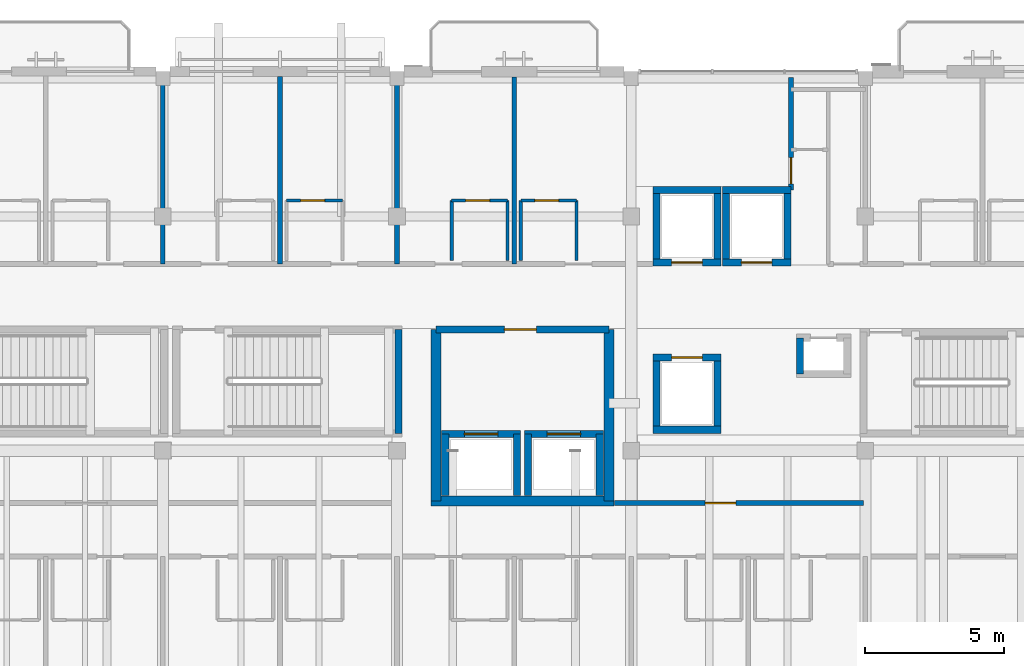
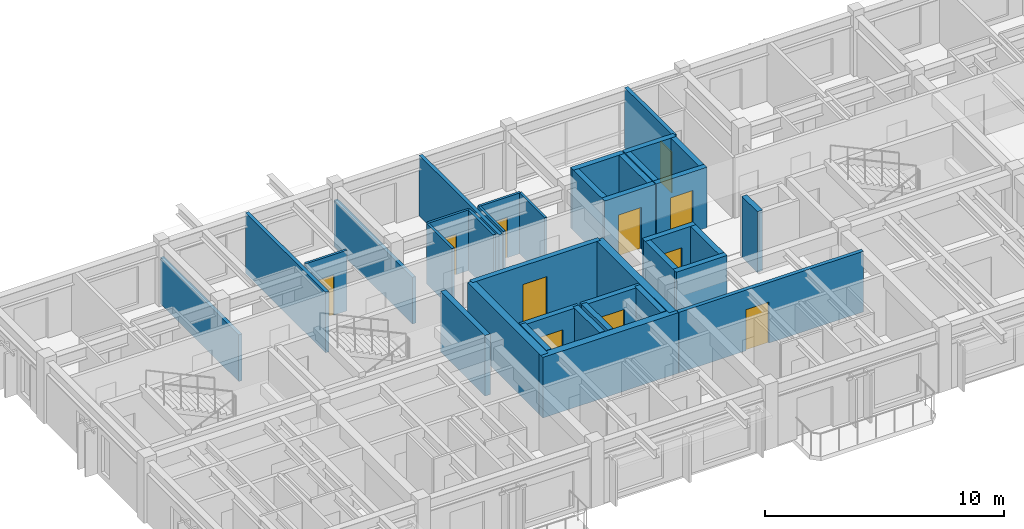
# One storey, part 15 of 31: 37 walls, 11 doors, 11 openings.
"""IFC4 building model written with IfcOpenShell, lengths in metres."""

from ifc_helpers import new_model, si_unit, direction, frame, frame_2d, origin, place, context, subcontext, project, spatial, rectangle, extrude, material, layer, layer_set, type_object, element, fill, save


model = new_model("IFC4")

# Units and contexts
model_context = context("Model", 3, precision=1e-05, world=origin(), true_north=direction((0.0, 1.0)))
body_context = subcontext(model_context, "Body", "Model", "MODEL_VIEW")
ifc_project = project(units=[si_unit("LENGTHUNIT", "METRE"), si_unit("AREAUNIT", "SQUARE_METRE"), si_unit("VOLUMEUNIT", "CUBIC_METRE"), si_unit("PLANEANGLEUNIT", "RADIAN"), si_unit("MASSUNIT", "GRAM", prefix="KILO")], contexts=[model_context])

# Site, building, storey
site_placement = place(None, origin())
site = spatial("IfcSite", under=ifc_project, at=site_placement, CompositionType="ELEMENT")
building_placement = place(site_placement, origin())
building = spatial("IfcBuilding", under=site, at=building_placement, Name="Cumbredor Promenade Congress Hotel", CompositionType="ELEMENT")
storey_placement = place(building_placement, frame((0.0, 0.0, 31.919921875)))
storey = spatial("IfcBuildingStorey", under=building, at=storey_placement, Name="L09", CompositionType="ELEMENT", Elevation=31.919921875)

# Walls
ifc_material_1 = material(Name="Concrete C50/60", Category="concrete")
ifc_layer_1 = layer(ifc_material_1, 0.35009765625, Name="Concrete C50/60", Category="concrete")
ifc_layer_set_1 = layer_set([ifc_layer_1], Name="Concrete C50/60")
wall_type_1 = type_object("IfcWallType", Name="Seismic Shear Core Wall 350mm", PredefinedType="SHEAR", material=ifc_layer_set_1)
wall_1_placement = place(storey_placement, frame((26.60009765625, 99.0, 0.0), z_axis=(0.0, 0.0, 1.0), x_axis=(0.0, 1.0, 0.0)))
element("IfcWall", 1, at=wall_1_placement, inside=storey, type_object=wall_type_1, Name="L09 Hotel Core Shear Wall W1", PredefinedType="SHEAR", context=body_context, shape_type="SweptSolid", body=[
    extrude(rectangle(XDim=6.14990234375, YDim=0.35009765625, at=frame_2d((3.074951171875, 0.0))), origin(), (0.0, 0.0, 1.0), 3.10009765625),
])
wall_2_placement = place(storey_placement, frame((26.425048828125, 99.0, 0.0), z_axis=(0.0, 0.0, 1.0), x_axis=(1.0, 0.0, 0.0)))
element("IfcWall", 2, at=wall_2_placement, inside=storey, type_object=wall_type_1, Name="L09 Hotel Core Shear Wall S1", PredefinedType="SHEAR", context=body_context, shape_type="SweptSolid", body=[
    extrude(rectangle(XDim=6.550048828125, YDim=0.35009765625, at=frame_2d((3.27490234375, 0.0))), origin(), (0.0, 0.0, 1.0), 3.10009765625),
])
wall_3_placement = place(storey_placement, frame((32.800048828125, 99.0, 0.0), z_axis=(0.0, 0.0, 1.0), x_axis=(0.0, 1.0, 0.0)))
element("IfcWall", 3, at=wall_3_placement, inside=storey, type_object=wall_type_1, Name="L09 Hotel Core Shear Wall E1", PredefinedType="SHEAR", context=body_context, shape_type="SweptSolid", body=[
    extrude(rectangle(XDim=6.14990234375, YDim=0.35009765625, at=frame_2d((3.074951171875, 0.0))), origin(), (0.0, 0.0, 1.0), 3.10009765625),
])

# Wall, opening, door
ifc_material_2 = material(Name="Moisture-resistant gypsum board on steel studs", Category="steel")
ifc_layer_2 = layer(ifc_material_2, 0.114990234375, Name="Moisture-resistant gypsum board on steel studs", Category="steel")
ifc_layer_set_2 = layer_set([ifc_layer_2], Name="Moisture-resistant gypsum board on steel studs")
wall_type_2 = type_object("IfcWallType", Name="WL-BATH-115", PredefinedType="PARTITIONING", material=ifc_layer_set_2)
wall_4_placement = place(storey_placement, frame((21.239990234375, 109.77001953125, 0.0), z_axis=(0.0, 0.0, 1.0), x_axis=(1.0, 0.0, 0.0)))
wall_4 = element("IfcWall", 4, at=wall_4_placement, inside=storey, type_object=wall_type_2, Name="L09 Interior Partition W-L09-BH-0904", PredefinedType="PARTITIONING", context=body_context, shape_type="SweptSolid", body=[
    extrude(rectangle(XDim=2.0, YDim=0.114990234375, at=frame_2d((1.0, 0.0))), origin(), (0.0, 0.0, 1.0), 3.10009765625),
])
opening_1_placement = place(wall_4_placement, frame((0.5, 0.0, 0.0)))
opening_1 = element("IfcOpeningElement", 5, at=opening_1_placement, cuts=wall_4, Name="Opening ID-01", PredefinedType="OPENING", context=body_context, shape_type="SweptSolid", body=[
    extrude(rectangle(XDim=0.860107421875, YDim=2.050048828125, at=frame_2d((0.43017578125, 1.02490234375))), frame((0.0, 0.0673828125, 0.0), z_axis=(0.0, -1.0, 0.0), x_axis=(1.0, 0.0, 0.0)), (0.0, 0.0, 1.0), 0.135009765625),
])
ifc_material_3 = material(Name="Kiln-dried tropical hardwood", Category="wood")
door_type_1 = type_object("IfcDoorType", Name="DR-BATH-860", OperationType="NOTDEFINED", PredefinedType="DOOR", material=ifc_material_3)
door_1_placement = place(opening_1_placement, origin())
door_1 = element("IfcDoor", 6, at=door_1_placement, inside=storey, type_object=door_type_1, Name="L09 Interior Door W-L09-BH-0904-01", OperationType="SINGLE_SWING_RIGHT", OverallHeight=2.050048828125, OverallWidth=0.860107421875, PredefinedType="DOOR", context=body_context, shape_type="SweptSolid", body=[
    extrude(rectangle(XDim=0.860107421875, YDim=2.050048828125, at=frame_2d((0.43017578125, 1.02490234375))), frame((0.0, 0.02490234375, 0.0), z_axis=(0.0, -1.0, 0.0), x_axis=(1.0, 0.0, 0.0)), (0.0, 0.0, 1.0), 0.050048828125),
])
fill(opening_1, door_1)

wall_5_placement = place(storey_placement, frame((27.159912109375, 109.77001953125, 0.0), z_axis=(0.0, 0.0, 1.0), x_axis=(1.0, 0.0, 0.0)))
wall_5 = element("IfcWall", 7, at=wall_5_placement, inside=storey, type_object=wall_type_2, Name="L09 Interior Partition W-L09-BH-0905", PredefinedType="PARTITIONING", context=body_context, shape_type="SweptSolid", body=[
    extrude(rectangle(XDim=2.0, YDim=0.114990234375, at=frame_2d((1.0, 0.0))), origin(), (0.0, 0.0, 1.0), 3.10009765625),
])
opening_2_placement = place(wall_5_placement, frame((0.5, 0.0, 0.0)))
opening_2 = element("IfcOpeningElement", 8, at=opening_2_placement, cuts=wall_5, Name="Opening ID-01", PredefinedType="OPENING", context=body_context, shape_type="SweptSolid", body=[
    extrude(rectangle(XDim=0.860107421875, YDim=2.050048828125, at=frame_2d((0.43017578125, 1.02490234375))), frame((0.0, 0.0673828125, 0.0), z_axis=(0.0, -1.0, 0.0), x_axis=(1.0, 0.0, 0.0)), (0.0, 0.0, 1.0), 0.135009765625),
])
door_2_placement = place(opening_2_placement, origin())
door_2 = element("IfcDoor", 9, at=door_2_placement, inside=storey, type_object=door_type_1, Name="L09 Interior Door W-L09-BH-0905-01", OperationType="SINGLE_SWING_LEFT", OverallHeight=2.050048828125, OverallWidth=0.860107421875, PredefinedType="DOOR", context=body_context, shape_type="SweptSolid", body=[
    extrude(rectangle(XDim=0.860107421875, YDim=2.050048828125, at=frame_2d((0.43017578125, 1.02490234375))), frame((0.0, 0.02490234375, 0.0), z_axis=(0.0, -1.0, 0.0), x_axis=(1.0, 0.0, 0.0)), (0.0, 0.0, 1.0), 0.050048828125),
])
fill(opening_2, door_2)

# Walls
for number, where, z_axis, x_axis, name in (
    (10, (27.159912109375, 107.6201171875, 0.0), (0.0, 0.0, 1.0), (0.0, 1.0, 0.0), "L09 Interior Partition W-L09-BV1-0905"),
    (11, (29.159912109375, 107.6201171875, 0.0), (0.0, 0.0, 1.0), (0.0, 1.0, 0.0), "L09 Interior Partition W-L09-BV2-0905"),
):
    element("IfcWall", number, at=place(storey_placement, frame(where, z_axis=z_axis, x_axis=x_axis)), inside=storey, type_object=wall_type_2, Name=name, PredefinedType="PARTITIONING", context=body_context, shape_type="SweptSolid", body=[
        extrude(rectangle(XDim=2.14990234375, YDim=0.114990234375, at=frame_2d((1.074951171875, 0.0))), origin(), (0.0, 0.0, 1.0), 3.10009765625),
    ])

# Wall, opening, door
wall_6_placement = place(storey_placement, frame((29.639892578125, 109.77001953125, 0.0), z_axis=(0.0, 0.0, 1.0), x_axis=(1.0, 0.0, 0.0)))
wall_6 = element("IfcWall", 12, at=wall_6_placement, inside=storey, type_object=wall_type_2, Name="L09 Interior Partition W-L09-BH-0906", PredefinedType="PARTITIONING", context=body_context, shape_type="SweptSolid", body=[
    extrude(rectangle(XDim=2.0, YDim=0.114990234375, at=frame_2d((1.0, 0.0))), origin(), (0.0, 0.0, 1.0), 3.10009765625),
])
opening_3_placement = place(wall_6_placement, frame((0.5, 0.0, 0.0)))
opening_3 = element("IfcOpeningElement", 13, at=opening_3_placement, cuts=wall_6, Name="Opening ID-01", PredefinedType="OPENING", context=body_context, shape_type="SweptSolid", body=[
    extrude(rectangle(XDim=0.860107421875, YDim=2.050048828125, at=frame_2d((0.43017578125, 1.02490234375))), frame((0.0, 0.0673828125, 0.0), z_axis=(0.0, -1.0, 0.0), x_axis=(1.0, 0.0, 0.0)), (0.0, 0.0, 1.0), 0.135009765625),
])
door_3_placement = place(opening_3_placement, origin())
door_3 = element("IfcDoor", 14, at=door_3_placement, inside=storey, type_object=door_type_1, Name="L09 Interior Door W-L09-BH-0906-01", OperationType="SINGLE_SWING_RIGHT", OverallHeight=2.050048828125, OverallWidth=0.860107421875, PredefinedType="DOOR", context=body_context, shape_type="SweptSolid", body=[
    extrude(rectangle(XDim=0.860107421875, YDim=2.050048828125, at=frame_2d((0.43017578125, 1.02490234375))), frame((0.0, 0.02490234375, 0.0), z_axis=(0.0, -1.0, 0.0), x_axis=(1.0, 0.0, 0.0)), (0.0, 0.0, 1.0), 0.050048828125),
])
fill(opening_3, door_3)

# Walls
for number, where, z_axis, x_axis, name in (
    (15, (29.639892578125, 107.6201171875, 0.0), (0.0, 0.0, 1.0), (0.0, 1.0, 0.0), "L09 Interior Partition W-L09-BV1-0906"),
    (16, (31.639892578125, 107.6201171875, 0.0), (0.0, 0.0, 1.0), (0.0, 1.0, 0.0), "L09 Interior Partition W-L09-BV2-0906"),
):
    element("IfcWall", number, at=place(storey_placement, frame(where, z_axis=z_axis, x_axis=x_axis)), inside=storey, type_object=wall_type_2, Name=name, PredefinedType="PARTITIONING", context=body_context, shape_type="SweptSolid", body=[
        extrude(rectangle(XDim=2.14990234375, YDim=0.114990234375, at=frame_2d((1.074951171875, 0.0))), origin(), (0.0, 0.0, 1.0), 3.10009765625),
    ])

# Wall, opening, door
ifc_material_4 = material(Name="Fire-rated hotel corridor wall")
ifc_layer_3 = layer(ifc_material_4, 0.179931640625, Name="Fire-rated hotel corridor wall")
ifc_layer_set_3 = layer_set([ifc_layer_3], Name="Fire-rated hotel corridor wall")
wall_type_3 = type_object("IfcWallType", Name="WL-CORR-180", PredefinedType="PARTITIONING", material=ifc_layer_set_3)
wall_7_placement = place(storey_placement, frame((39.330078125, 110.14990234375, 0.0), z_axis=(0.0, 0.0, 1.0), x_axis=(0.0, 1.0, 0.0)))
wall_7 = element("IfcWall", 17, at=wall_7_placement, inside=storey, type_object=wall_type_3, Name="L09 Interior Partition W-L09-SALON-E", PredefinedType="PARTITIONING", context=body_context, shape_type="SweptSolid", body=[
    extrude(rectangle(XDim=4.03759765625, YDim=0.179931640625, at=frame_2d((2.018798828125, 0.0))), origin(), (0.0, 0.0, 1.0), 3.10009765625),
])
opening_4_placement = place(wall_7_placement, frame((0.219970703125, 0.0, 0.0)))
opening_4 = element("IfcOpeningElement", 18, at=opening_4_placement, cuts=wall_7, Name="Opening FD-03", PredefinedType="OPENING", context=body_context, shape_type="SweptSolid", body=[
    extrude(rectangle(XDim=0.93994140625, YDim=2.10009765625, at=frame_2d((0.469970703125, 1.050048828125))), frame((0.0, 0.10009765625, 0.0), z_axis=(0.0, -1.0, 0.0), x_axis=(1.0, 0.0, 0.0)), (0.0, 0.0, 1.0), 0.199951171875),
])
ifc_material_5 = material(Name="Painted galvanized steel fire door", Category="steel")
door_type_2 = type_object("IfcDoorType", Name="DR-SGL-FD60-950", OperationType="NOTDEFINED", PredefinedType="DOOR", material=ifc_material_5)
door_4_placement = place(opening_4_placement, origin())
door_4 = element("IfcDoor", 19, at=door_4_placement, inside=storey, type_object=door_type_2, Name="L09 Interior Door W-L09-SALON-E-01", OperationType="SINGLE_SWING_LEFT", OverallHeight=2.10009765625, OverallWidth=0.93994140625, PredefinedType="DOOR", context=body_context, shape_type="SweptSolid", body=[
    extrude(rectangle(XDim=0.93994140625, YDim=2.10009765625, at=frame_2d((0.469970703125, 1.050048828125))), frame((0.0, 0.02490234375, 0.0), z_axis=(0.0, -1.0, 0.0), x_axis=(1.0, 0.0, 0.0)), (0.0, 0.0, 1.0), 0.050048828125),
])
fill(opening_4, door_4)

wall_8_placement = place(storey_placement, frame((33.0, 98.919921875, 0.0), z_axis=(0.0, 0.0, 1.0), x_axis=(1.0, 0.0, 0.0)))
wall_8 = element("IfcWall", 20, at=wall_8_placement, inside=storey, type_object=wall_type_3, Name="L09 Interior Partition W-L09-BIZ-S", PredefinedType="PARTITIONING", context=body_context, shape_type="SweptSolid", body=[
    extrude(rectangle(XDim=8.929931640625, YDim=0.179931640625, at=frame_2d((4.46484375, 0.0))), origin(), (0.0, 0.0, 1.0), 3.10009765625),
])
opening_5_placement = place(wall_8_placement, frame((3.25, 0.0, 0.0)))
opening_5 = element("IfcOpeningElement", 21, at=opening_5_placement, cuts=wall_8, Name="Opening FD-04", PredefinedType="OPENING", context=body_context, shape_type="SweptSolid", body=[
    extrude(rectangle(XDim=1.10009765625, YDim=2.10009765625, at=frame_2d((0.550048828125, 1.050048828125))), frame((0.0, 0.10009765625, 0.0), z_axis=(0.0, -1.0, 0.0), x_axis=(1.0, 0.0, 0.0)), (0.0, 0.0, 1.0), 0.199951171875),
])
door_type_3 = type_object("IfcDoorType", Name="DR-SGL-FD60-1100", OperationType="NOTDEFINED", PredefinedType="DOOR", material=ifc_material_5)
door_5_placement = place(opening_5_placement, origin())
door_5 = element("IfcDoor", 22, at=door_5_placement, inside=storey, type_object=door_type_3, Name="L09 Interior Door W-L09-BIZ-S-01", OperationType="SINGLE_SWING_RIGHT", OverallHeight=2.10009765625, OverallWidth=1.10009765625, PredefinedType="DOOR", context=body_context, shape_type="SweptSolid", body=[
    extrude(rectangle(XDim=1.10009765625, YDim=2.10009765625, at=frame_2d((0.550048828125, 1.050048828125))), frame((0.0, 0.02490234375, 0.0), z_axis=(0.0, -1.0, 0.0), x_axis=(1.0, 0.0, 0.0)), (0.0, 0.0, 1.0), 0.050048828125),
])
fill(opening_5, door_5)

ifc_material_6 = material(Name="Concrete C40/50", Category="concrete")
ifc_layer_4 = layer(ifc_material_6, 0.239990234375, Name="Concrete C40/50", Category="concrete")
ifc_layer_set_4 = layer_set([ifc_layer_4], Name="Concrete C40/50")
wall_type_4 = type_object("IfcWallType", Name="WL-FFL-240", PredefinedType="SOLIDWALL", material=ifc_layer_set_4)
wall_9_placement = place(storey_placement, frame((26.60009765625, 105.14990234375, 0.0), z_axis=(0.0, 0.0, 1.0), x_axis=(1.0, 0.0, 0.0)))
wall_9 = element("IfcWall", 23, at=wall_9_placement, inside=storey, type_object=wall_type_4, Name="L09 Interior Partition W-FFL-L09-N", PredefinedType="SOLIDWALL", context=body_context, shape_type="SweptSolid", body=[
    extrude(rectangle(XDim=6.199951171875, YDim=0.239990234375, at=frame_2d((3.10009765625, 0.0))), origin(), (0.0, 0.0, 1.0), 3.10009765625),
])
opening_6_placement = place(wall_9_placement, frame((2.449951171875, 0.0, 0.0)))
opening_6 = element("IfcOpeningElement", 24, at=opening_6_placement, cuts=wall_9, Name="Opening FD-05", PredefinedType="OPENING", context=body_context, shape_type="SweptSolid", body=[
    extrude(rectangle(XDim=1.14990234375, YDim=2.14990234375, at=frame_2d((0.574951171875, 1.074951171875))), frame((0.0, 0.1298828125, 0.0), z_axis=(0.0, -1.0, 0.0), x_axis=(1.0, 0.0, 0.0)), (0.0, 0.0, 1.0), 0.260009765625),
])
door_type_4 = type_object("IfcDoorType", Name="DR-SGL-FD60-1150", OperationType="NOTDEFINED", PredefinedType="DOOR", material=ifc_material_5)
door_6_placement = place(opening_6_placement, origin())
door_6 = element("IfcDoor", 25, at=door_6_placement, inside=storey, type_object=door_type_4, Name="L09 Interior Door W-FFL-L09-N-01", OperationType="SINGLE_SWING_RIGHT", OverallHeight=2.14990234375, OverallWidth=1.14990234375, PredefinedType="DOOR", context=body_context, shape_type="SweptSolid", body=[
    extrude(rectangle(XDim=1.14990234375, YDim=2.14990234375, at=frame_2d((0.574951171875, 1.074951171875))), frame((0.0, 0.02490234375, 0.0), z_axis=(0.0, -1.0, 0.0), x_axis=(1.0, 0.0, 0.0)), (0.0, 0.0, 1.0), 0.050048828125),
])
fill(opening_6, door_6)

# Wall
ifc_layer_5 = layer(ifc_material_6, 0.2548828125, Name="Concrete C40/50", Category="concrete")
ifc_layer_set_5 = layer_set([ifc_layer_5], Name="Concrete C40/50")
wall_type_5 = type_object("IfcWallType", Name="WL-SHAFT-250", PredefinedType="SOLIDWALL", material=ifc_layer_set_5)
wall_10_placement = place(storey_placement, frame((25.25, 101.419921875, 0.0), z_axis=(0.0, 0.0, 1.0), x_axis=(0.0, 1.0, 0.0)))
element("IfcWall", 26, at=wall_10_placement, inside=storey, type_object=wall_type_5, Name="STAIR-ST-02-L09 Shaft Wall East", PredefinedType="SOLIDWALL", context=body_context, shape_type="SweptSolid", body=[
    extrude(rectangle(XDim=3.72998046875, YDim=0.2548828125, at=frame_2d((1.864990234375, 0.0))), origin(), (0.0, 0.0, 1.0), 3.10009765625),
])

# Wall, opening, door
wall_11_placement = place(storey_placement, frame((26.802490234375, 101.39990234375, 0.0), z_axis=(0.0, 0.0, 1.0), x_axis=(1.0, 0.0, 0.0)))
wall_11 = element("IfcWall", 27, at=wall_11_placement, inside=storey, type_object=wall_type_5, Name="SHAFT-FF-01-L09 Shaft Wall North", PredefinedType="SOLIDWALL", context=body_context, shape_type="SweptSolid", body=[
    extrude(rectangle(XDim=2.824951171875, YDim=0.2548828125, at=frame_2d((1.41259765625, 0.0))), origin(), (0.0, 0.0, 1.0), 3.10009765625),
])
opening_7_placement = place(wall_11_placement, frame((0.8125, 0.0, 0.0)))
opening_7 = element("IfcOpeningElement", 28, at=opening_7_placement, cuts=wall_11, Name="Opening LD-02", PredefinedType="OPENING", context=body_context, shape_type="SweptSolid", body=[
    extrude(rectangle(XDim=1.199951171875, YDim=2.199951171875, at=frame_2d((0.60009765625, 1.10009765625))), frame((0.0, 0.137451171875, 0.0), z_axis=(0.0, -1.0, 0.0), x_axis=(1.0, 0.0, 0.0)), (0.0, 0.0, 1.0), 0.27490234375),
])
ifc_material_7 = material(Name="Brushed stainless steel", Category="steel")
door_type_5 = type_object("IfcDoorType", Name="Firefighting Lift Sliding Door LD-02 1200x2200", OperationType="DOUBLE_DOOR_SLIDING", PredefinedType="DOOR", material=ifc_material_7)
door_7_placement = place(opening_7_placement, origin())
door_7 = element("IfcDoor", 29, at=door_7_placement, inside=storey, type_object=door_type_5, Name="L09 Firefighting Lift FF-01 Sliding Landing Door", OperationType="DOUBLE_DOOR_SLIDING", OverallHeight=2.199951171875, OverallWidth=1.199951171875, PredefinedType="DOOR", context=body_context, shape_type="SweptSolid", body=[
    extrude(rectangle(XDim=1.199951171875, YDim=2.199951171875, at=frame_2d((0.60009765625, 1.10009765625))), frame((0.0, 0.02490234375, 0.0), z_axis=(0.0, -1.0, 0.0), x_axis=(1.0, 0.0, 0.0)), (0.0, 0.0, 1.0), 0.050048828125),
])
fill(opening_7, door_7)

# Walls
for number, where, z_axis, x_axis, name in (
    (30, (26.929931640625, 99.199951171875, 0.0), (0.0, 0.0, 1.0), (0.0, 1.0, 0.0), "SHAFT-FF-01-L09 Shaft Wall West"),
    (31, (29.5, 99.199951171875, 0.0), (0.0, 0.0, 1.0), (0.0, 1.0, 0.0), "SHAFT-FF-01-L09 Shaft Wall East"),
):
    element("IfcWall", number, at=place(storey_placement, frame(where, z_axis=z_axis, x_axis=x_axis)), inside=storey, type_object=wall_type_5, Name=name, PredefinedType="SOLIDWALL", context=body_context, shape_type="SweptSolid", body=[
        extrude(rectangle(XDim=2.199951171875, YDim=0.2548828125, at=frame_2d((1.10009765625, 0.0))), origin(), (0.0, 0.0, 1.0), 3.10009765625),
    ])

# Wall, opening, door
wall_12_placement = place(storey_placement, frame((29.7724609375, 101.39990234375, 0.0), z_axis=(0.0, 0.0, 1.0), x_axis=(1.0, 0.0, 0.0)))
wall_12 = element("IfcWall", 32, at=wall_12_placement, inside=storey, type_object=wall_type_5, Name="SHAFT-FF-02-L09 Shaft Wall North", PredefinedType="SOLIDWALL", context=body_context, shape_type="SweptSolid", body=[
    extrude(rectangle(XDim=2.824951171875, YDim=0.2548828125, at=frame_2d((1.41259765625, 0.0))), origin(), (0.0, 0.0, 1.0), 3.10009765625),
])
opening_8_placement = place(wall_12_placement, frame((0.8125, 0.0, 0.0)))
opening_8 = element("IfcOpeningElement", 33, at=opening_8_placement, cuts=wall_12, Name="Opening LD-02", PredefinedType="OPENING", context=body_context, shape_type="SweptSolid", body=[
    extrude(rectangle(XDim=1.199951171875, YDim=2.199951171875, at=frame_2d((0.60009765625, 1.10009765625))), frame((0.0, 0.137451171875, 0.0), z_axis=(0.0, -1.0, 0.0), x_axis=(1.0, 0.0, 0.0)), (0.0, 0.0, 1.0), 0.27490234375),
])
door_8_placement = place(opening_8_placement, origin())
door_8 = element("IfcDoor", 34, at=door_8_placement, inside=storey, type_object=door_type_5, Name="L09 Firefighting Lift FF-02 Sliding Landing Door", OperationType="DOUBLE_DOOR_SLIDING", OverallHeight=2.199951171875, OverallWidth=1.199951171875, PredefinedType="DOOR", context=body_context, shape_type="SweptSolid", body=[
    extrude(rectangle(XDim=1.199951171875, YDim=2.199951171875, at=frame_2d((0.60009765625, 1.10009765625))), frame((0.0, 0.02490234375, 0.0), z_axis=(0.0, -1.0, 0.0), x_axis=(1.0, 0.0, 0.0)), (0.0, 0.0, 1.0), 0.050048828125),
])
fill(opening_8, door_8)

# Walls
for number, where, z_axis, x_axis, name in (
    (35, (29.89990234375, 99.199951171875, 0.0), (0.0, 0.0, 1.0), (0.0, 1.0, 0.0), "SHAFT-FF-02-L09 Shaft Wall West"),
    (36, (32.469970703125, 99.199951171875, 0.0), (0.0, 0.0, 1.0), (0.0, 1.0, 0.0), "SHAFT-FF-02-L09 Shaft Wall East"),
):
    element("IfcWall", number, at=place(storey_placement, frame(where, z_axis=z_axis, x_axis=x_axis)), inside=storey, type_object=wall_type_5, Name=name, PredefinedType="SOLIDWALL", context=body_context, shape_type="SweptSolid", body=[
        extrude(rectangle(XDim=2.199951171875, YDim=0.2548828125, at=frame_2d((1.10009765625, 0.0))), origin(), (0.0, 0.0, 1.0), 3.10009765625),
    ])

# Wall, opening, door
wall_13_placement = place(storey_placement, frame((34.37255859375, 107.550048828125, 0.0), z_axis=(0.0, 0.0, 1.0), x_axis=(1.0, 0.0, 0.0)))
wall_13 = element("IfcWall", 37, at=wall_13_placement, inside=storey, type_object=wall_type_5, Name="SHAFT-PL-01-L09 Shaft Wall South", PredefinedType="SOLIDWALL", context=body_context, shape_type="SweptSolid", body=[
    extrude(rectangle(XDim=2.454833984375, YDim=0.2548828125, at=frame_2d((1.2275390625, 0.0))), origin(), (0.0, 0.0, 1.0), 3.10009765625),
])
opening_9_placement = place(wall_13_placement, frame((0.677490234375, 0.0, 0.0)))
opening_9 = element("IfcOpeningElement", 38, at=opening_9_placement, cuts=wall_13, Name="Opening LD-01", PredefinedType="OPENING", context=body_context, shape_type="SweptSolid", body=[
    extrude(rectangle(XDim=1.10009765625, YDim=2.14990234375, at=frame_2d((0.550048828125, 1.074951171875))), frame((0.0, 0.137451171875, 0.0), z_axis=(0.0, -1.0, 0.0), x_axis=(1.0, 0.0, 0.0)), (0.0, 0.0, 1.0), 0.27490234375),
])
door_type_6 = type_object("IfcDoorType", Name="Lift Landing Sliding Door LD-01 1100x2150", OperationType="DOUBLE_DOOR_SLIDING", PredefinedType="DOOR", material=ifc_material_7)
door_9_placement = place(opening_9_placement, origin())
door_9 = element("IfcDoor", 39, at=door_9_placement, inside=storey, type_object=door_type_6, Name="L09 Hotel Passenger Lift PL-01 Sliding Landing Door", OperationType="DOUBLE_DOOR_SLIDING", OverallHeight=2.14990234375, OverallWidth=1.10009765625, PredefinedType="DOOR", context=body_context, shape_type="SweptSolid", body=[
    extrude(rectangle(XDim=1.10009765625, YDim=2.14990234375, at=frame_2d((0.550048828125, 1.074951171875))), frame((0.0, 0.02490234375, 0.0), z_axis=(0.0, -1.0, 0.0), x_axis=(1.0, 0.0, 0.0)), (0.0, 0.0, 1.0), 0.050048828125),
])
fill(opening_9, door_9)

# Walls
wall_14_placement = place(storey_placement, frame((34.37255859375, 110.14990234375, 0.0), z_axis=(0.0, 0.0, 1.0), x_axis=(1.0, 0.0, 0.0)))
element("IfcWall", 40, at=wall_14_placement, inside=storey, type_object=wall_type_5, Name="SHAFT-PL-01-L09 Shaft Wall North", PredefinedType="SOLIDWALL", context=body_context, shape_type="SweptSolid", body=[
    extrude(rectangle(XDim=2.454833984375, YDim=0.2548828125, at=frame_2d((1.2275390625, 0.0))), origin(), (0.0, 0.0, 1.0), 3.10009765625),
])
for number, where, z_axis, x_axis, name in (
    (41, (34.5, 107.550048828125, 0.0), (0.0, 0.0, 1.0), (0.0, 1.0, 0.0), "SHAFT-PL-01-L09 Shaft Wall West"),
    (42, (36.699951171875, 107.550048828125, 0.0), (0.0, 0.0, 1.0), (0.0, 1.0, 0.0), "SHAFT-PL-01-L09 Shaft Wall East"),
):
    element("IfcWall", number, at=place(storey_placement, frame(where, z_axis=z_axis, x_axis=x_axis)), inside=storey, type_object=wall_type_5, Name=name, PredefinedType="SOLIDWALL", context=body_context, shape_type="SweptSolid", body=[
        extrude(rectangle(XDim=2.599853515625, YDim=0.2548828125, at=frame_2d((1.2998046875, 0.0))), origin(), (0.0, 0.0, 1.0), 3.10009765625),
    ])

# Wall, opening, door
wall_15_placement = place(storey_placement, frame((36.87255859375, 107.550048828125, 0.0), z_axis=(0.0, 0.0, 1.0), x_axis=(1.0, 0.0, 0.0)))
wall_15 = element("IfcWall", 43, at=wall_15_placement, inside=storey, type_object=wall_type_5, Name="SHAFT-PL-02-L09 Shaft Wall South", PredefinedType="SOLIDWALL", context=body_context, shape_type="SweptSolid", body=[
    extrude(rectangle(XDim=2.454833984375, YDim=0.2548828125, at=frame_2d((1.2275390625, 0.0))), origin(), (0.0, 0.0, 1.0), 3.10009765625),
])
opening_10_placement = place(wall_15_placement, frame((0.677490234375, 0.0, 0.0)))
opening_10 = element("IfcOpeningElement", 44, at=opening_10_placement, cuts=wall_15, Name="Opening LD-01", PredefinedType="OPENING", context=body_context, shape_type="SweptSolid", body=[
    extrude(rectangle(XDim=1.10009765625, YDim=2.14990234375, at=frame_2d((0.550048828125, 1.074951171875))), frame((0.0, 0.137451171875, 0.0), z_axis=(0.0, -1.0, 0.0), x_axis=(1.0, 0.0, 0.0)), (0.0, 0.0, 1.0), 0.27490234375),
])
door_10_placement = place(opening_10_placement, origin())
door_10 = element("IfcDoor", 45, at=door_10_placement, inside=storey, type_object=door_type_6, Name="L09 Hotel Passenger Lift PL-02 Sliding Landing Door", OperationType="DOUBLE_DOOR_SLIDING", OverallHeight=2.14990234375, OverallWidth=1.10009765625, PredefinedType="DOOR", context=body_context, shape_type="SweptSolid", body=[
    extrude(rectangle(XDim=1.10009765625, YDim=2.14990234375, at=frame_2d((0.550048828125, 1.074951171875))), frame((0.0, 0.02490234375, 0.0), z_axis=(0.0, -1.0, 0.0), x_axis=(1.0, 0.0, 0.0)), (0.0, 0.0, 1.0), 0.050048828125),
])
fill(opening_10, door_10)

# Walls
wall_16_placement = place(storey_placement, frame((36.87255859375, 110.14990234375, 0.0), z_axis=(0.0, 0.0, 1.0), x_axis=(1.0, 0.0, 0.0)))
element("IfcWall", 46, at=wall_16_placement, inside=storey, type_object=wall_type_5, Name="SHAFT-PL-02-L09 Shaft Wall North", PredefinedType="SOLIDWALL", context=body_context, shape_type="SweptSolid", body=[
    extrude(rectangle(XDim=2.454833984375, YDim=0.2548828125, at=frame_2d((1.2275390625, 0.0))), origin(), (0.0, 0.0, 1.0), 3.10009765625),
])
for number, where, z_axis, x_axis, name in (
    (47, (37.0, 107.550048828125, 0.0), (0.0, 0.0, 1.0), (0.0, 1.0, 0.0), "SHAFT-PL-02-L09 Shaft Wall West"),
    (48, (39.199951171875, 107.550048828125, 0.0), (0.0, 0.0, 1.0), (0.0, 1.0, 0.0), "SHAFT-PL-02-L09 Shaft Wall East"),
):
    element("IfcWall", number, at=place(storey_placement, frame(where, z_axis=z_axis, x_axis=x_axis)), inside=storey, type_object=wall_type_5, Name=name, PredefinedType="SOLIDWALL", context=body_context, shape_type="SweptSolid", body=[
        extrude(rectangle(XDim=2.599853515625, YDim=0.2548828125, at=frame_2d((1.2998046875, 0.0))), origin(), (0.0, 0.0, 1.0), 3.10009765625),
    ])
wall_17_placement = place(storey_placement, frame((34.37255859375, 101.550048828125, 0.0), z_axis=(0.0, 0.0, 1.0), x_axis=(1.0, 0.0, 0.0)))
element("IfcWall", 49, at=wall_17_placement, inside=storey, type_object=wall_type_5, Name="SHAFT-PL-03-L09 Shaft Wall South", PredefinedType="SOLIDWALL", context=body_context, shape_type="SweptSolid", body=[
    extrude(rectangle(XDim=2.454833984375, YDim=0.2548828125, at=frame_2d((1.2275390625, 0.0))), origin(), (0.0, 0.0, 1.0), 3.10009765625),
])

# Wall, opening, door
wall_18_placement = place(storey_placement, frame((34.37255859375, 104.14990234375, 0.0), z_axis=(0.0, 0.0, 1.0), x_axis=(1.0, 0.0, 0.0)))
wall_18 = element("IfcWall", 50, at=wall_18_placement, inside=storey, type_object=wall_type_5, Name="SHAFT-PL-03-L09 Shaft Wall North", PredefinedType="SOLIDWALL", context=body_context, shape_type="SweptSolid", body=[
    extrude(rectangle(XDim=2.454833984375, YDim=0.2548828125, at=frame_2d((1.2275390625, 0.0))), origin(), (0.0, 0.0, 1.0), 3.10009765625),
])
opening_11_placement = place(wall_18_placement, frame((0.677490234375, 0.0, 0.0)))
opening_11 = element("IfcOpeningElement", 51, at=opening_11_placement, cuts=wall_18, Name="Opening LD-01", PredefinedType="OPENING", context=body_context, shape_type="SweptSolid", body=[
    extrude(rectangle(XDim=1.10009765625, YDim=2.14990234375, at=frame_2d((0.550048828125, 1.074951171875))), frame((0.0, 0.137451171875, 0.0), z_axis=(0.0, -1.0, 0.0), x_axis=(1.0, 0.0, 0.0)), (0.0, 0.0, 1.0), 0.27490234375),
])
door_11_placement = place(opening_11_placement, origin())
door_11 = element("IfcDoor", 52, at=door_11_placement, inside=storey, type_object=door_type_6, Name="L09 Hotel Passenger Lift PL-03 Sliding Landing Door", OperationType="DOUBLE_DOOR_SLIDING", OverallHeight=2.14990234375, OverallWidth=1.10009765625, PredefinedType="DOOR", context=body_context, shape_type="SweptSolid", body=[
    extrude(rectangle(XDim=1.10009765625, YDim=2.14990234375, at=frame_2d((0.550048828125, 1.074951171875))), frame((0.0, 0.02490234375, 0.0), z_axis=(0.0, -1.0, 0.0), x_axis=(1.0, 0.0, 0.0)), (0.0, 0.0, 1.0), 0.050048828125),
])
fill(opening_11, door_11)

# Walls
for number, where, z_axis, x_axis, name in (
    (53, (34.5, 101.550048828125, 0.0), (0.0, 0.0, 1.0), (0.0, 1.0, 0.0), "SHAFT-PL-03-L09 Shaft Wall West"),
    (54, (36.699951171875, 101.550048828125, 0.0), (0.0, 0.0, 1.0), (0.0, 1.0, 0.0), "SHAFT-PL-03-L09 Shaft Wall East"),
):
    element("IfcWall", number, at=place(storey_placement, frame(where, z_axis=z_axis, x_axis=x_axis)), inside=storey, type_object=wall_type_5, Name=name, PredefinedType="SOLIDWALL", context=body_context, shape_type="SweptSolid", body=[
        extrude(rectangle(XDim=2.599853515625, YDim=0.2548828125, at=frame_2d((1.2998046875, 0.0))), origin(), (0.0, 0.0, 1.0), 3.10009765625),
    ])
wall_19_placement = place(storey_placement, frame((39.64990234375, 103.550048828125, 0.0), z_axis=(0.0, 0.0, 1.0), x_axis=(0.0, 1.0, 0.0)))
element("IfcWall", 55, at=wall_19_placement, inside=storey, type_object=wall_type_5, Name="RISER-MEP-R1-L09 Shaft Wall West", PredefinedType="SOLIDWALL", context=body_context, shape_type="SweptSolid", body=[
    extrude(rectangle(XDim=1.300048828125, YDim=0.2548828125, at=frame_2d((0.64990234375, 0.0))), origin(), (0.0, 0.0, 1.0), 3.10009765625),
])
ifc_material_8 = material(Name="Fire-rated acoustic double-stud partition")
ifc_layer_6 = layer(ifc_material_8, 0.1650390625, Name="Fire-rated acoustic double-stud partition")
ifc_layer_set_6 = layer_set([ifc_layer_6], Name="Fire-rated acoustic double-stud partition")
wall_type_6 = type_object("IfcWallType", Name="WL-UNIT-165", PredefinedType="PARTITIONING", material=ifc_layer_set_6)
wall_20_placement = place(storey_placement, frame((21.0, 107.5, 0.0), z_axis=(0.0, 0.0, 1.0), x_axis=(0.0, 1.0, 0.0)))
element("IfcWall", 56, at=wall_20_placement, inside=storey, type_object=wall_type_6, Name="L09 Interior Partition W-L09-N-DIV-1-M", PredefinedType="PARTITIONING", context=body_context, shape_type="SweptSolid", body=[
    extrude(rectangle(XDim=6.72509765625, YDim=0.1650390625, at=frame_2d((3.362548828125, 0.0))), origin(), (0.0, 0.0, 1.0), 3.10009765625),
])
wall_21_placement = place(storey_placement, frame((16.800048828125, 107.5, 0.0), z_axis=(0.0, 0.0, 1.0), x_axis=(0.0, 1.0, 0.0)))
element("IfcWall", 57, at=wall_21_placement, inside=storey, type_object=wall_type_6, Name="L09 Interior Partition W-L09-N-DIV-1-G", PredefinedType="PARTITIONING", context=body_context, shape_type="SweptSolid", body=[
    extrude(rectangle(XDim=6.550048828125, YDim=0.1650390625, at=frame_2d((3.27490234375, 0.0))), origin(), (0.0, 0.0, 1.0), 2.39013671875),
])
wall_22_placement = place(storey_placement, frame((29.39990234375, 107.5, 0.0), z_axis=(0.0, 0.0, 1.0), x_axis=(0.0, 1.0, 0.0)))
element("IfcWall", 58, at=wall_22_placement, inside=storey, type_object=wall_type_6, Name="L09 Interior Partition W-L09-N-DIV-2-M", PredefinedType="PARTITIONING", context=body_context, shape_type="SweptSolid", body=[
    extrude(rectangle(XDim=6.7099609375, YDim=0.1650390625, at=frame_2d((3.35498046875, 0.0))), origin(), (0.0, 0.0, 1.0), 3.10009765625),
])
wall_23_placement = place(storey_placement, frame((25.199951171875, 107.5, 0.0), z_axis=(0.0, 0.0, 1.0), x_axis=(0.0, 1.0, 0.0)))
element("IfcWall", 59, at=wall_23_placement, inside=storey, type_object=wall_type_6, Name="L09 Interior Partition W-L09-N-DIV-2-G", PredefinedType="PARTITIONING", context=body_context, shape_type="SweptSolid", body=[
    extrude(rectangle(XDim=6.550048828125, YDim=0.1650390625, at=frame_2d((3.27490234375, 0.0))), origin(), (0.0, 0.0, 1.0), 2.39013671875),
])

save(model, "model.ifc")
